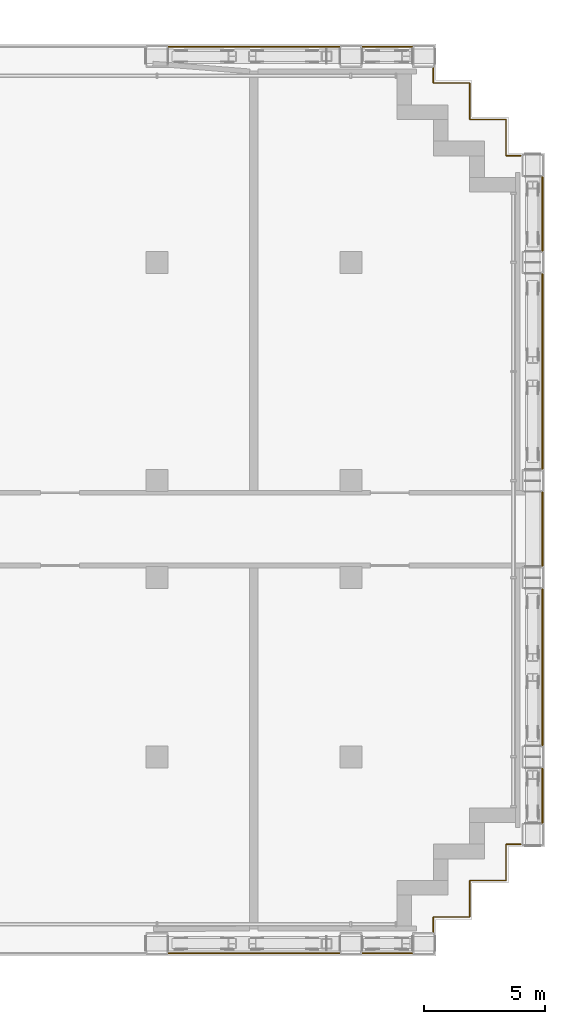
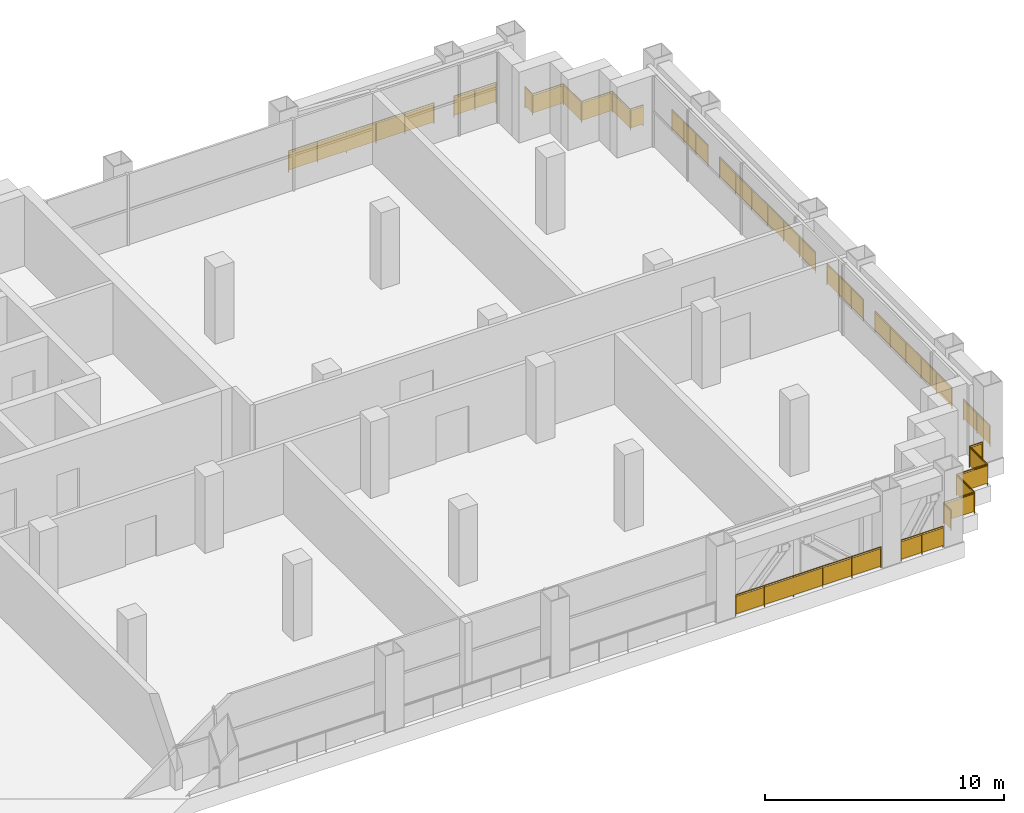
# One storey, part 19 of 19: 11 railings.
"""IFC4 building model written with IfcOpenShell, lengths in metres."""

from ifc_helpers import new_model, si_unit, direction, frame, origin, origin_2d, place, context, subcontext, project, spatial, rectangle, circle, extrude, material, type_object, element, save


model = new_model("IFC4")

# Units and contexts
model_context = context("Model", 3, precision=1e-05, world=origin(), true_north=direction((0.0, 1.0)))
body_context = subcontext(model_context, "Body", "Model", "MODEL_VIEW")
ifc_project = project(units=[si_unit("LENGTHUNIT", "METRE"), si_unit("AREAUNIT", "SQUARE_METRE"), si_unit("VOLUMEUNIT", "CUBIC_METRE"), si_unit("PLANEANGLEUNIT", "RADIAN"), si_unit("MASSUNIT", "GRAM", prefix="KILO")], contexts=[model_context])

# Site, building, storey
site_placement = place(None, origin())
site = spatial("IfcSite", under=ifc_project, at=site_placement, CompositionType="ELEMENT")
building_placement = place(site_placement, origin())
building = spatial("IfcBuilding", under=site, at=building_placement, Name="Vidyagriha Tower", CompositionType="ELEMENT")
storey_placement = place(building_placement, frame((0.0, 0.0, 73.60009765625)))
storey = spatial("IfcBuildingStorey", under=building, at=storey_placement, Name="L18", CompositionType="ELEMENT", Elevation=73.60009765625)

# Railings
ifc_material = material(Name="Steel ASTM A500 Grade C black painted", Category="steel")
railing_type = type_object("IfcRailingType", Name="Gallery guard 1100", PredefinedType="GUARDRAIL", material=ifc_material)
railing_1_placement = place(storey_placement, frame((33.52001953125, -17.5, 0.0)))
element("IfcRailing", 1, at=railing_1_placement, inside=storey, type_object=railing_type, Name="Gallery guard L18 12", PredefinedType="GUARDRAIL", context=body_context, shape_type="SweptSolid", body=[
    extrude(circle(Radius=0.02490234375, at=origin_2d()), frame((0.0, 0.0, 1.0751953125), z_axis=(-1.0, 0.0, 0.0), x_axis=(0.0, -1.0, 0.0)), (0.0, 0.0, 1.0), 7.0400390625),
    extrude(circle(Radius=0.02001953125, at=origin_2d()), origin(), (0.0, 0.0, 1.0), 1.050048828125),
    extrude(circle(Radius=0.02001953125, at=origin_2d()), frame((-1.407958984375, 0.0, 0.0)), (0.0, 0.0, 1.0), 1.050048828125),
    extrude(circle(Radius=0.02001953125, at=origin_2d()), frame((-2.81591796875, 0.0, 0.0)), (0.0, 0.0, 1.0), 1.050048828125),
    extrude(circle(Radius=0.02001953125, at=origin_2d()), frame((-4.22412109375, 0.0, 0.0)), (0.0, 0.0, 1.0), 1.050048828125),
    extrude(circle(Radius=0.02001953125, at=origin_2d()), frame((-5.632080078125, 0.0, 0.0)), (0.0, 0.0, 1.0), 1.050048828125),
    extrude(circle(Radius=0.02001953125, at=origin_2d()), frame((-7.0400390625, 0.0, 0.0)), (0.0, 0.0, 1.0), 1.050048828125),
    extrude(rectangle(XDim=0.010009765625, YDim=0.900146484375, at=origin_2d()), frame((0.0, 0.0, 0.550048828125), z_axis=(-1.0, 0.0, 0.0), x_axis=(0.0, -1.0, 0.0)), (0.0, 0.0, 1.0), 7.0400390625),
])
railing_2_placement = place(storey_placement, frame((26.47998046875, 19.89990234375, 0.0)))
element("IfcRailing", 2, at=railing_2_placement, inside=storey, type_object=railing_type, Name="Gallery guard L18 13", PredefinedType="GUARDRAIL", context=body_context, shape_type="SweptSolid", body=[
    extrude(circle(Radius=0.02490234375, at=origin_2d()), frame((0.0, 0.0, 1.0751953125), z_axis=(1.0, 0.0, 0.0), x_axis=(0.0, 1.0, 0.0)), (0.0, 0.0, 1.0), 7.0400390625),
    extrude(circle(Radius=0.02001953125, at=origin_2d()), origin(), (0.0, 0.0, 1.0), 1.050048828125),
    extrude(circle(Radius=0.02001953125, at=origin_2d()), frame((1.407958984375, 0.0, 0.0)), (0.0, 0.0, 1.0), 1.050048828125),
    extrude(circle(Radius=0.02001953125, at=origin_2d()), frame((2.81591796875, 0.0, 0.0)), (0.0, 0.0, 1.0), 1.050048828125),
    extrude(circle(Radius=0.02001953125, at=origin_2d()), frame((4.22412109375, 0.0, 0.0)), (0.0, 0.0, 1.0), 1.050048828125),
    extrude(circle(Radius=0.02001953125, at=origin_2d()), frame((5.632080078125, 0.0, 0.0)), (0.0, 0.0, 1.0), 1.050048828125),
    extrude(circle(Radius=0.02001953125, at=origin_2d()), frame((7.0400390625, 0.0, 0.0)), (0.0, 0.0, 1.0), 1.050048828125),
    extrude(rectangle(XDim=0.010009765625, YDim=0.900146484375, at=origin_2d()), frame((0.0, 0.0, 0.550048828125), z_axis=(1.0, 0.0, 0.0), x_axis=(0.0, 1.0, 0.0)), (0.0, 0.0, 1.0), 7.0400390625),
])
railing_3_placement = place(storey_placement, frame((36.52001953125, -17.5, 0.0)))
element("IfcRailing", 3, at=railing_3_placement, inside=storey, type_object=railing_type, Name="Gallery guard L18 14", PredefinedType="GUARDRAIL", context=body_context, shape_type="SweptSolid", body=[
    extrude(circle(Radius=0.02490234375, at=origin_2d()), frame((0.0, 0.0, 1.0751953125), z_axis=(-1.0, 0.0, 0.0), x_axis=(0.0, -1.0, 0.0)), (0.0, 0.0, 1.0), 2.0400390625),
    extrude(circle(Radius=0.02001953125, at=origin_2d()), origin(), (0.0, 0.0, 1.0), 1.050048828125),
    extrude(circle(Radius=0.02001953125, at=origin_2d()), frame((-1.02001953125, 0.0, 0.0)), (0.0, 0.0, 1.0), 1.050048828125),
    extrude(circle(Radius=0.02001953125, at=origin_2d()), frame((-2.0400390625, 0.0, 0.0)), (0.0, 0.0, 1.0), 1.050048828125),
    extrude(rectangle(XDim=0.010009765625, YDim=0.900146484375, at=origin_2d()), frame((0.0, 0.0, 0.550048828125), z_axis=(-1.0, 0.0, 0.0), x_axis=(0.0, -1.0, 0.0)), (0.0, 0.0, 1.0), 2.0400390625),
])
railing_4_placement = place(storey_placement, frame((34.47998046875, 19.89990234375, 0.0)))
element("IfcRailing", 4, at=railing_4_placement, inside=storey, type_object=railing_type, Name="Gallery guard L18 15", PredefinedType="GUARDRAIL", context=body_context, shape_type="SweptSolid", body=[
    extrude(circle(Radius=0.02490234375, at=origin_2d()), frame((0.0, 0.0, 1.0751953125), z_axis=(1.0, 0.0, 0.0), x_axis=(0.0, 1.0, 0.0)), (0.0, 0.0, 1.0), 2.0400390625),
    extrude(circle(Radius=0.02001953125, at=origin_2d()), origin(), (0.0, 0.0, 1.0), 1.050048828125),
    extrude(circle(Radius=0.02001953125, at=origin_2d()), frame((1.02001953125, 0.0, 0.0)), (0.0, 0.0, 1.0), 1.050048828125),
    extrude(circle(Radius=0.02001953125, at=origin_2d()), frame((2.0400390625, 0.0, 0.0)), (0.0, 0.0, 1.0), 1.050048828125),
    extrude(rectangle(XDim=0.010009765625, YDim=0.900146484375, at=origin_2d()), frame((0.0, 0.0, 0.550048828125), z_axis=(1.0, 0.0, 0.0), x_axis=(0.0, 1.0, 0.0)), (0.0, 0.0, 1.0), 2.0400390625),
])
railing_5_placement = place(storey_placement, frame((41.02001953125, -13.0, 0.0)))
element("IfcRailing", 5, at=railing_5_placement, inside=storey, type_object=railing_type, Name="Gallery guard L18 16", PredefinedType="GUARDRAIL", context=body_context, shape_type="SweptSolid", body=[
    extrude(circle(Radius=0.02490234375, at=origin_2d()), frame((0.0, 0.0, 1.0751953125), z_axis=(-1.0, 0.0, 0.0), x_axis=(0.0, -1.0, 0.0)), (0.0, 0.0, 1.0), 0.6201171875),
    extrude(circle(Radius=0.02490234375, at=origin_2d()), frame((-0.6201171875, 0.0, 1.0751953125), z_axis=(0.0, -1.0, 0.0), x_axis=(1.0, 0.0, 0.0)), (0.0, 0.0, 1.0), 1.5),
    extrude(circle(Radius=0.02490234375, at=origin_2d()), frame((-0.6201171875, -1.5, 1.0751953125), z_axis=(-1.0, 0.0, 0.0), x_axis=(0.0, -1.0, 0.0)), (0.0, 0.0, 1.0), 1.5),
    extrude(circle(Radius=0.02490234375, at=origin_2d()), frame((-2.1201171875, -1.5, 1.0751953125), z_axis=(0.0, -1.0, 0.0), x_axis=(1.0, 0.0, 0.0)), (0.0, 0.0, 1.0), 1.5),
    extrude(circle(Radius=0.02490234375, at=origin_2d()), frame((-2.1201171875, -3.0, 1.0751953125), z_axis=(-1.0, 0.0, 0.0), x_axis=(0.0, -1.0, 0.0)), (0.0, 0.0, 1.0), 1.5),
    extrude(circle(Radius=0.02490234375, at=origin_2d()), frame((-3.6201171875, -3.0, 1.0751953125), z_axis=(0.0, -1.0, 0.0), x_axis=(1.0, 0.0, 0.0)), (0.0, 0.0, 1.0), 0.6201171875),
    extrude(circle(Radius=0.02001953125, at=origin_2d()), origin(), (0.0, 0.0, 1.0), 1.050048828125),
    extrude(circle(Radius=0.02001953125, at=origin_2d()), frame((-0.6201171875, 0.0, 0.0)), (0.0, 0.0, 1.0), 1.050048828125),
    extrude(circle(Radius=0.02001953125, at=origin_2d()), frame((-0.6201171875, -1.5, 0.0)), (0.0, 0.0, 1.0), 1.050048828125),
    extrude(circle(Radius=0.02001953125, at=origin_2d()), frame((-2.1201171875, -1.5, 0.0)), (0.0, 0.0, 1.0), 1.050048828125),
    extrude(circle(Radius=0.02001953125, at=origin_2d()), frame((-2.1201171875, -3.0, 0.0)), (0.0, 0.0, 1.0), 1.050048828125),
    extrude(circle(Radius=0.02001953125, at=origin_2d()), frame((-3.6201171875, -3.0, 0.0)), (0.0, 0.0, 1.0), 1.050048828125),
    extrude(circle(Radius=0.02001953125, at=origin_2d()), frame((-3.6201171875, -3.6201171875, 0.0)), (0.0, 0.0, 1.0), 1.050048828125),
    extrude(rectangle(XDim=0.010009765625, YDim=0.900146484375, at=origin_2d()), frame((0.0, 0.0, 0.550048828125), z_axis=(-1.0, 0.0, 0.0), x_axis=(0.0, -1.0, 0.0)), (0.0, 0.0, 1.0), 0.6201171875),
    extrude(rectangle(XDim=0.010009765625, YDim=0.900146484375, at=origin_2d()), frame((-0.6201171875, 0.0, 0.550048828125), z_axis=(0.0, -1.0, 0.0), x_axis=(1.0, 0.0, 0.0)), (0.0, 0.0, 1.0), 1.5),
    extrude(rectangle(XDim=0.010009765625, YDim=0.900146484375, at=origin_2d()), frame((-0.6201171875, -1.5, 0.550048828125), z_axis=(-1.0, 0.0, 0.0), x_axis=(0.0, -1.0, 0.0)), (0.0, 0.0, 1.0), 1.5),
    extrude(rectangle(XDim=0.010009765625, YDim=0.900146484375, at=origin_2d()), frame((-2.1201171875, -1.5, 0.550048828125), z_axis=(0.0, -1.0, 0.0), x_axis=(1.0, 0.0, 0.0)), (0.0, 0.0, 1.0), 1.5),
    extrude(rectangle(XDim=0.010009765625, YDim=0.900146484375, at=origin_2d()), frame((-2.1201171875, -3.0, 0.550048828125), z_axis=(-1.0, 0.0, 0.0), x_axis=(0.0, -1.0, 0.0)), (0.0, 0.0, 1.0), 1.5),
    extrude(rectangle(XDim=0.010009765625, YDim=0.900146484375, at=origin_2d()), frame((-3.6201171875, -3.0, 0.550048828125), z_axis=(0.0, -1.0, 0.0), x_axis=(1.0, 0.0, 0.0)), (0.0, 0.0, 1.0), 0.6201171875),
])
railing_6_placement = place(storey_placement, frame((37.39990234375, 19.02001953125, 0.0)))
element("IfcRailing", 6, at=railing_6_placement, inside=storey, type_object=railing_type, Name="Gallery guard L18 17", PredefinedType="GUARDRAIL", context=body_context, shape_type="SweptSolid", body=[
    extrude(circle(Radius=0.02490234375, at=origin_2d()), frame((0.0, 0.0, 1.0751953125), z_axis=(0.0, -1.0, 0.0), x_axis=(1.0, 0.0, 0.0)), (0.0, 0.0, 1.0), 0.6201171875),
    extrude(circle(Radius=0.02490234375, at=origin_2d()), frame((0.0, -0.6201171875, 1.0751953125), z_axis=(1.0, 0.0, 0.0), x_axis=(0.0, 1.0, 0.0)), (0.0, 0.0, 1.0), 1.5),
    extrude(circle(Radius=0.02490234375, at=origin_2d()), frame((1.5, -0.6201171875, 1.0751953125), z_axis=(0.0, -1.0, 0.0), x_axis=(1.0, 0.0, 0.0)), (0.0, 0.0, 1.0), 1.5),
    extrude(circle(Radius=0.02490234375, at=origin_2d()), frame((1.5, -2.1201171875, 1.0751953125), z_axis=(1.0, 0.0, 0.0), x_axis=(0.0, 1.0, 0.0)), (0.0, 0.0, 1.0), 1.5),
    extrude(circle(Radius=0.02490234375, at=origin_2d()), frame((3.0, -2.1201171875, 1.0751953125), z_axis=(0.0, -1.0, 0.0), x_axis=(1.0, 0.0, 0.0)), (0.0, 0.0, 1.0), 1.5),
    extrude(circle(Radius=0.02490234375, at=origin_2d()), frame((3.0, -3.6201171875, 1.0751953125), z_axis=(1.0, 0.0, 0.0), x_axis=(0.0, 1.0, 0.0)), (0.0, 0.0, 1.0), 0.6201171875),
    extrude(circle(Radius=0.02001953125, at=origin_2d()), origin(), (0.0, 0.0, 1.0), 1.050048828125),
    extrude(circle(Radius=0.02001953125, at=origin_2d()), frame((0.0, -0.6201171875, 0.0)), (0.0, 0.0, 1.0), 1.050048828125),
    extrude(circle(Radius=0.02001953125, at=origin_2d()), frame((1.5, -0.6201171875, 0.0)), (0.0, 0.0, 1.0), 1.050048828125),
    extrude(circle(Radius=0.02001953125, at=origin_2d()), frame((1.5, -2.1201171875, 0.0)), (0.0, 0.0, 1.0), 1.050048828125),
    extrude(circle(Radius=0.02001953125, at=origin_2d()), frame((3.0, -2.1201171875, 0.0)), (0.0, 0.0, 1.0), 1.050048828125),
    extrude(circle(Radius=0.02001953125, at=origin_2d()), frame((3.0, -3.6201171875, 0.0)), (0.0, 0.0, 1.0), 1.050048828125),
    extrude(circle(Radius=0.02001953125, at=origin_2d()), frame((3.6201171875, -3.6201171875, 0.0)), (0.0, 0.0, 1.0), 1.050048828125),
    extrude(rectangle(XDim=0.010009765625, YDim=0.900146484375, at=origin_2d()), frame((0.0, 0.0, 0.550048828125), z_axis=(0.0, -1.0, 0.0), x_axis=(1.0, 0.0, 0.0)), (0.0, 0.0, 1.0), 0.6201171875),
    extrude(rectangle(XDim=0.010009765625, YDim=0.900146484375, at=origin_2d()), frame((0.0, -0.6201171875, 0.550048828125), z_axis=(1.0, 0.0, 0.0), x_axis=(0.0, 1.0, 0.0)), (0.0, 0.0, 1.0), 1.5),
    extrude(rectangle(XDim=0.010009765625, YDim=0.900146484375, at=origin_2d()), frame((1.5, -0.6201171875, 0.550048828125), z_axis=(0.0, -1.0, 0.0), x_axis=(1.0, 0.0, 0.0)), (0.0, 0.0, 1.0), 1.5),
    extrude(rectangle(XDim=0.010009765625, YDim=0.900146484375, at=origin_2d()), frame((1.5, -2.1201171875, 0.550048828125), z_axis=(1.0, 0.0, 0.0), x_axis=(0.0, 1.0, 0.0)), (0.0, 0.0, 1.0), 1.5),
    extrude(rectangle(XDim=0.010009765625, YDim=0.900146484375, at=origin_2d()), frame((3.0, -2.1201171875, 0.550048828125), z_axis=(0.0, -1.0, 0.0), x_axis=(1.0, 0.0, 0.0)), (0.0, 0.0, 1.0), 1.5),
    extrude(rectangle(XDim=0.010009765625, YDim=0.900146484375, at=origin_2d()), frame((3.0, -3.6201171875, 0.550048828125), z_axis=(1.0, 0.0, 0.0), x_axis=(0.0, 1.0, 0.0)), (0.0, 0.0, 1.0), 0.6201171875),
])
railing_7_placement = place(storey_placement, frame((41.89990234375, -9.8798828125, 0.0)))
element("IfcRailing", 7, at=railing_7_placement, inside=storey, type_object=railing_type, Name="Gallery guard L18 18", PredefinedType="GUARDRAIL", context=body_context, shape_type="SweptSolid", body=[
    extrude(circle(Radius=0.02490234375, at=origin_2d()), frame((0.0, 0.0, 1.0751953125), z_axis=(0.0, -1.0, 0.0), x_axis=(1.0, 0.0, 0.0)), (0.0, 0.0, 1.0), 2.240234375),
    extrude(circle(Radius=0.02001953125, at=origin_2d()), origin(), (0.0, 0.0, 1.0), 1.050048828125),
    extrude(circle(Radius=0.02001953125, at=origin_2d()), frame((0.0, -1.1201171875, 0.0)), (0.0, 0.0, 1.0), 1.050048828125),
    extrude(circle(Radius=0.02001953125, at=origin_2d()), frame((0.0, -2.240234375, 0.0)), (0.0, 0.0, 1.0), 1.050048828125),
    extrude(rectangle(XDim=0.010009765625, YDim=0.900146484375, at=origin_2d()), frame((0.0, 0.0, 0.550048828125), z_axis=(0.0, -1.0, 0.0), x_axis=(1.0, 0.0, 0.0)), (0.0, 0.0, 1.0), 2.240234375),
])
railing_8_placement = place(storey_placement, frame((41.89990234375, -2.47998046875, 0.0)))
element("IfcRailing", 8, at=railing_8_placement, inside=storey, type_object=railing_type, Name="Gallery guard L18 19", PredefinedType="GUARDRAIL", context=body_context, shape_type="SweptSolid", body=[
    extrude(circle(Radius=0.02490234375, at=origin_2d()), frame((0.0, 0.0, 1.0751953125), z_axis=(0.0, -1.0, 0.0), x_axis=(1.0, 0.0, 0.0)), (0.0, 0.0, 1.0), 6.43994140625),
    extrude(circle(Radius=0.02001953125, at=origin_2d()), origin(), (0.0, 0.0, 1.0), 1.050048828125),
    extrude(circle(Radius=0.02001953125, at=origin_2d()), frame((0.0, -1.2880859375, 0.0)), (0.0, 0.0, 1.0), 1.050048828125),
    extrude(circle(Radius=0.02001953125, at=origin_2d()), frame((0.0, -2.575927734375, 0.0)), (0.0, 0.0, 1.0), 1.050048828125),
    extrude(circle(Radius=0.02001953125, at=origin_2d()), frame((0.0, -3.864013671875, 0.0)), (0.0, 0.0, 1.0), 1.050048828125),
    extrude(circle(Radius=0.02001953125, at=origin_2d()), frame((0.0, -5.15185546875, 0.0)), (0.0, 0.0, 1.0), 1.050048828125),
    extrude(circle(Radius=0.02001953125, at=origin_2d()), frame((0.0, -6.43994140625, 0.0)), (0.0, 0.0, 1.0), 1.050048828125),
    extrude(rectangle(XDim=0.010009765625, YDim=0.900146484375, at=origin_2d()), frame((0.0, 0.0, 0.550048828125), z_axis=(0.0, -1.0, 0.0), x_axis=(1.0, 0.0, 0.0)), (0.0, 0.0, 1.0), 6.43994140625),
])
railing_9_placement = place(storey_placement, frame((41.89990234375, 1.52001953125, 0.0)))
element("IfcRailing", 9, at=railing_9_placement, inside=storey, type_object=railing_type, Name="Gallery guard L18 20", PredefinedType="GUARDRAIL", context=body_context, shape_type="SweptSolid", body=[
    extrude(circle(Radius=0.02490234375, at=origin_2d()), frame((0.0, 0.0, 1.0751953125), z_axis=(0.0, -1.0, 0.0), x_axis=(1.0, 0.0, 0.0)), (0.0, 0.0, 1.0), 3.0400390625),
    extrude(circle(Radius=0.02001953125, at=origin_2d()), origin(), (0.0, 0.0, 1.0), 1.050048828125),
    extrude(circle(Radius=0.02001953125, at=origin_2d()), frame((0.0, -1.013427734375, 0.0)), (0.0, 0.0, 1.0), 1.050048828125),
    extrude(circle(Radius=0.02001953125, at=origin_2d()), frame((0.0, -2.026611328125, 0.0)), (0.0, 0.0, 1.0), 1.050048828125),
    extrude(circle(Radius=0.02001953125, at=origin_2d()), frame((0.0, -3.0400390625, 0.0)), (0.0, 0.0, 1.0), 1.050048828125),
    extrude(rectangle(XDim=0.010009765625, YDim=0.900146484375, at=origin_2d()), frame((0.0, 0.0, 0.550048828125), z_axis=(0.0, -1.0, 0.0), x_axis=(1.0, 0.0, 0.0)), (0.0, 0.0, 1.0), 3.0400390625),
])
railing_10_placement = place(storey_placement, frame((41.89990234375, 10.52001953125, 0.0)))
element("IfcRailing", 10, at=railing_10_placement, inside=storey, type_object=railing_type, Name="Gallery guard L18 21", PredefinedType="GUARDRAIL", context=body_context, shape_type="SweptSolid", body=[
    extrude(circle(Radius=0.02490234375, at=origin_2d()), frame((0.0, 0.0, 1.0751953125), z_axis=(0.0, -1.0, 0.0), x_axis=(1.0, 0.0, 0.0)), (0.0, 0.0, 1.0), 8.0400390625),
    extrude(circle(Radius=0.02001953125, at=origin_2d()), origin(), (0.0, 0.0, 1.0), 1.050048828125),
    extrude(circle(Radius=0.02001953125, at=origin_2d()), frame((0.0, -1.340087890625, 0.0)), (0.0, 0.0, 1.0), 1.050048828125),
    extrude(circle(Radius=0.02001953125, at=origin_2d()), frame((0.0, -2.679931640625, 0.0)), (0.0, 0.0, 1.0), 1.050048828125),
    extrude(circle(Radius=0.02001953125, at=origin_2d()), frame((0.0, -4.02001953125, 0.0)), (0.0, 0.0, 1.0), 1.050048828125),
    extrude(circle(Radius=0.02001953125, at=origin_2d()), frame((0.0, -5.360107421875, 0.0)), (0.0, 0.0, 1.0), 1.050048828125),
    extrude(circle(Radius=0.02001953125, at=origin_2d()), frame((0.0, -6.699951171875, 0.0)), (0.0, 0.0, 1.0), 1.050048828125),
    extrude(circle(Radius=0.02001953125, at=origin_2d()), frame((0.0, -8.0400390625, 0.0)), (0.0, 0.0, 1.0), 1.050048828125),
    extrude(rectangle(XDim=0.010009765625, YDim=0.900146484375, at=origin_2d()), frame((0.0, 0.0, 0.550048828125), z_axis=(0.0, -1.0, 0.0), x_axis=(1.0, 0.0, 0.0)), (0.0, 0.0, 1.0), 8.0400390625),
])
railing_11_placement = place(storey_placement, frame((41.89990234375, 14.52001953125, 0.0)))
element("IfcRailing", 11, at=railing_11_placement, inside=storey, type_object=railing_type, Name="Gallery guard L18 22", PredefinedType="GUARDRAIL", context=body_context, shape_type="SweptSolid", body=[
    extrude(circle(Radius=0.02490234375, at=origin_2d()), frame((0.0, 0.0, 1.0751953125), z_axis=(0.0, -1.0, 0.0), x_axis=(1.0, 0.0, 0.0)), (0.0, 0.0, 1.0), 3.0400390625),
    extrude(circle(Radius=0.02001953125, at=origin_2d()), origin(), (0.0, 0.0, 1.0), 1.050048828125),
    extrude(circle(Radius=0.02001953125, at=origin_2d()), frame((0.0, -1.013427734375, 0.0)), (0.0, 0.0, 1.0), 1.050048828125),
    extrude(circle(Radius=0.02001953125, at=origin_2d()), frame((0.0, -2.026611328125, 0.0)), (0.0, 0.0, 1.0), 1.050048828125),
    extrude(circle(Radius=0.02001953125, at=origin_2d()), frame((0.0, -3.0400390625, 0.0)), (0.0, 0.0, 1.0), 1.050048828125),
    extrude(rectangle(XDim=0.010009765625, YDim=0.900146484375, at=origin_2d()), frame((0.0, 0.0, 0.550048828125), z_axis=(0.0, -1.0, 0.0), x_axis=(1.0, 0.0, 0.0)), (0.0, 0.0, 1.0), 3.0400390625),
])

save(model, "model.ifc")
